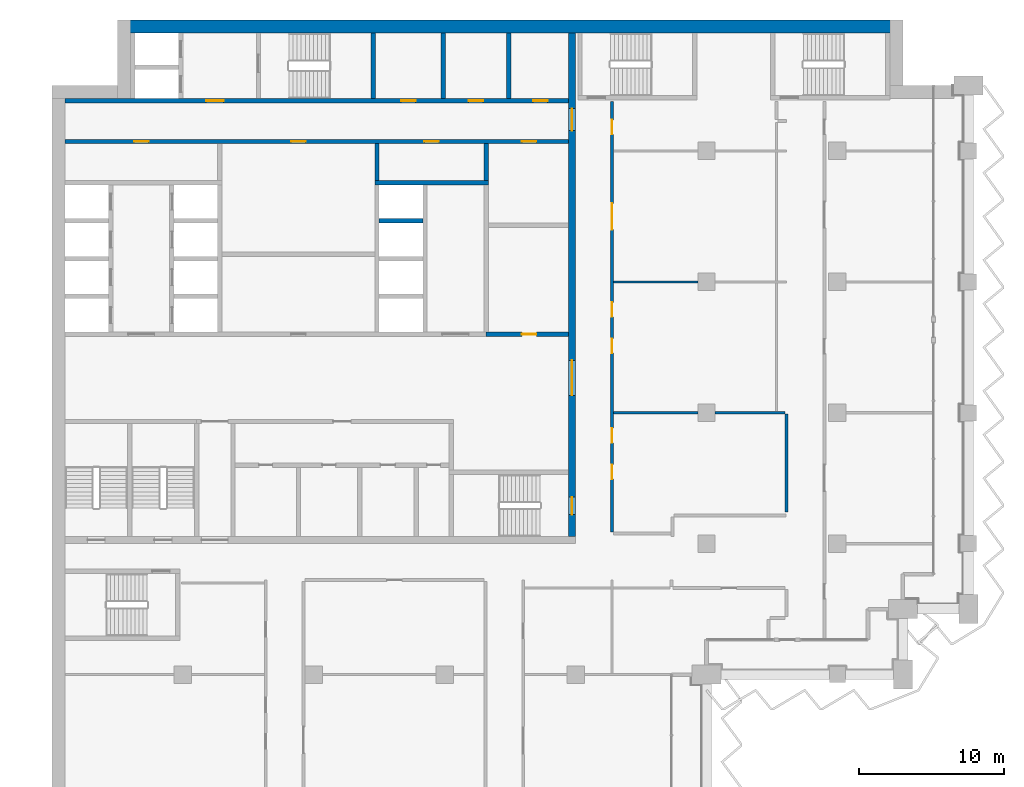
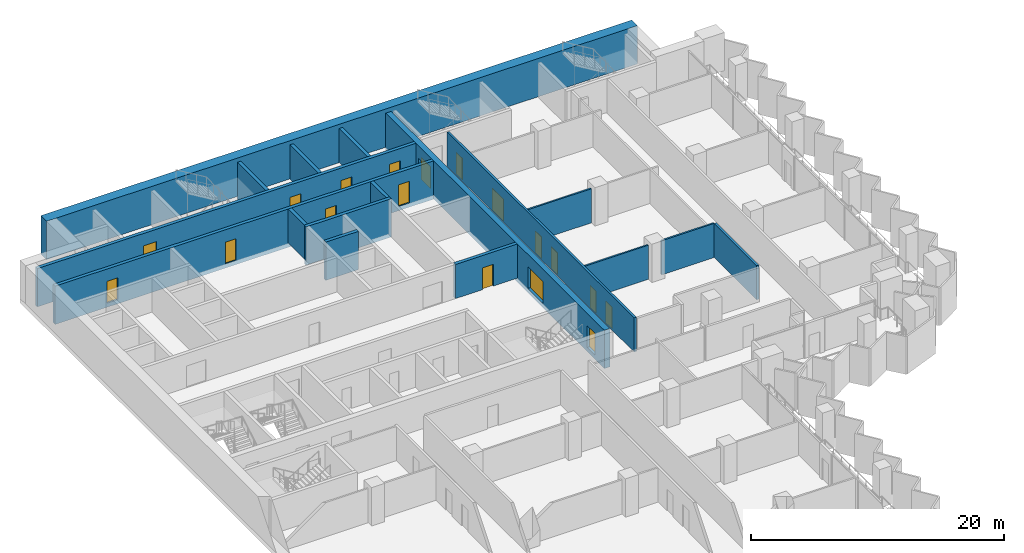
# One storey, part 13 of 22: 18 doors, 17 walls, 18 openings.
"""IFC4 building model written with IfcOpenShell, lengths in metres."""

from ifc_helpers import new_model, si_unit, direction, frame, frame_2d, origin, place, context, subcontext, project, spatial, rectangle, extrude, material, layer, layer_set, type_object, element, fill, save


model = new_model("IFC4")

# Units and contexts
model_context = context("Model", 3, precision=1e-05, world=origin(), true_north=direction((0.0, 1.0)))
body_context = subcontext(model_context, "Body", "Model", "MODEL_VIEW")
ifc_project = project(units=[si_unit("LENGTHUNIT", "METRE"), si_unit("AREAUNIT", "SQUARE_METRE"), si_unit("VOLUMEUNIT", "CUBIC_METRE"), si_unit("PLANEANGLEUNIT", "RADIAN"), si_unit("MASSUNIT", "GRAM", prefix="KILO")], contexts=[model_context])

# Site, building, storey
site_placement = place(None, origin())
site = spatial("IfcSite", under=ifc_project, at=site_placement, CompositionType="ELEMENT")
building_placement = place(site_placement, origin())
building = spatial("IfcBuilding", under=site, at=building_placement, Name="Hunhe Ridgeline Campus", CompositionType="ELEMENT")
storey_placement = place(building_placement, frame((0.0, 0.0, 156.0)))
storey = spatial("IfcBuildingStorey", under=building, at=storey_placement, Name="L39", CompositionType="ELEMENT", Elevation=156.0)

# Wall, opening, door
ifc_material_1 = material(Name="Masonry concrete blockwork", Category="masonry")
ifc_layer_1 = layer(ifc_material_1, 0.300048828125)
ifc_layer_set_1 = layer_set([ifc_layer_1], Name="Core room partition 300 concrete block")
wall_type_1 = type_object("IfcWallType", Name="Core room partition 300 concrete block", PredefinedType="PARTITIONING", material=ifc_layer_set_1)
wall_1_placement = place(storey_placement, frame((29.85009765625, 77.39990234375, 0.0), z_axis=(0.0, 0.0, 1.0), x_axis=(1.0, 0.0, 0.0)))
wall_1 = element("IfcWall", 1, at=wall_1_placement, inside=storey, type_object=wall_type_1, Name="L39 core partition 13", PredefinedType="PARTITIONING", context=body_context, shape_type="SweptSolid", body=[
    extrude(rectangle(XDim=5.64990234375, YDim=0.300048828125, at=frame_2d((2.824951171875, 0.0))), origin(), (0.0, 0.0, 1.0), 3.300048828125),
])
opening_1_placement = place(wall_1_placement, frame((2.449951171875, 0.0, 0.0)))
opening_1 = element("IfcOpeningElement", 2, at=opening_1_placement, cuts=wall_1, Name="Opening CD32", PredefinedType="OPENING", context=body_context, shape_type="SweptSolid", body=[
    extrude(rectangle(XDim=1.0, YDim=2.10009765625, at=frame_2d((0.5, 1.050048828125))), frame((0.0, 0.14990234375, 0.0), z_axis=(0.0, -1.0, 0.0), x_axis=(1.0, 0.0, 0.0)), (0.0, 0.0, 1.0), 0.300048828125),
])
ifc_material_2 = material(Name="Solid core timber door leaf", Category="wood")
door_type_1 = type_object("IfcDoorType", Name="Timber door 1000x2100", OperationType="SINGLE_SWING_LEFT", PredefinedType="DOOR", material=ifc_material_2)
door_1_placement = place(opening_1_placement, origin())
door_1 = element("IfcDoor", 3, at=door_1_placement, inside=storey, type_object=door_type_1, Name="L39 door ES0", OperationType="SINGLE_SWING_LEFT", OverallHeight=2.10009765625, OverallWidth=1.0, PredefinedType="DOOR", context=body_context, shape_type="SweptSolid", body=[
    extrude(rectangle(XDim=1.0, YDim=2.10009765625, at=frame_2d((0.5, 1.050048828125))), frame((0.0, 0.02490234375, 0.0), z_axis=(0.0, -1.0, 0.0), x_axis=(1.0, 0.0, 0.0)), (0.0, 0.0, 1.0), 0.050048828125),
])
fill(opening_1, door_1)

# Walls
wall_2_placement = place(storey_placement, frame((22.35009765625, 87.949951171875, 0.0), z_axis=(0.0, 0.0, 1.0), x_axis=(0.0, 1.0, 0.0)))
element("IfcWall", 4, at=wall_2_placement, inside=storey, type_object=wall_type_1, Name="L39 core partition 49", PredefinedType="PARTITIONING", context=body_context, shape_type="SweptSolid", body=[
    extrude(rectangle(XDim=2.550048828125, YDim=0.300048828125, at=frame_2d((1.27490234375, 0.0))), origin(), (0.0, 0.0, 1.0), 3.300048828125),
])
wall_3_placement = place(storey_placement, frame((26.89990234375, 93.60009765625, 0.0), z_axis=(0.0, 0.0, 1.0), x_axis=(0.0, 1.0, 0.0)))
element("IfcWall", 5, at=wall_3_placement, inside=storey, type_object=wall_type_1, Name="L39 core partition 53", PredefinedType="PARTITIONING", context=body_context, shape_type="SweptSolid", body=[
    extrude(rectangle(XDim=4.5, YDim=0.300048828125, at=frame_2d((2.25, 0.0))), origin(), (0.0, 0.0, 1.0), 3.300048828125),
])
wall_4_placement = place(storey_placement, frame((29.85009765625, 87.949951171875, 0.0), z_axis=(0.0, 0.0, 1.0), x_axis=(0.0, 1.0, 0.0)))
element("IfcWall", 6, at=wall_4_placement, inside=storey, type_object=wall_type_1, Name="L39 core partition 57", PredefinedType="PARTITIONING", context=body_context, shape_type="SweptSolid", body=[
    extrude(rectangle(XDim=2.550048828125, YDim=0.300048828125, at=frame_2d((1.27490234375, 0.0))), origin(), (0.0, 0.0, 1.0), 3.300048828125),
])
wall_5_placement = place(storey_placement, frame((31.39990234375, 93.60009765625, 0.0), z_axis=(0.0, 0.0, 1.0), x_axis=(0.0, 1.0, 0.0)))
element("IfcWall", 7, at=wall_5_placement, inside=storey, type_object=wall_type_1, Name="L39 core partition 58", PredefinedType="PARTITIONING", context=body_context, shape_type="SweptSolid", body=[
    extrude(rectangle(XDim=4.5, YDim=0.300048828125, at=frame_2d((2.25, 0.0))), origin(), (0.0, 0.0, 1.0), 3.300048828125),
])

# Wall, openings, doors
ifc_material_3 = material(Name="Concrete C70", Category="concrete")
ifc_layer_2 = layer(ifc_material_3, 0.5)
ifc_layer_set_2 = layer_set([ifc_layer_2], Name="Core wall 500 reinforced concrete C70")
wall_type_2 = type_object("IfcWallType", Name="Core wall 500 reinforced concrete C70", PredefinedType="SOLIDWALL", material=ifc_layer_set_2)
wall_6_placement = place(storey_placement, frame((35.75, 63.5, -0.39990234375), z_axis=(0.0, 0.0, 1.0), x_axis=(0.0, 1.0, 0.0)))
wall_6 = element("IfcWall", 8, at=wall_6_placement, inside=storey, type_object=wall_type_2, Name="L39 core wall 59", PredefinedType="SOLIDWALL", context=body_context, shape_type="SweptSolid", body=[
    extrude(rectangle(XDim=34.60009765625, YDim=0.5, at=frame_2d((17.300048828125, 0.0))), origin(), (0.0, 0.0, 1.0), 3.699951171875),
])
opening_2_placement = place(wall_6_placement, frame((9.699951171875, 0.0, 0.39990234375)))
opening_2 = element("IfcOpeningElement", 9, at=opening_2_placement, cuts=wall_6, Name="Opening CD4", PredefinedType="OPENING", context=body_context, shape_type="SweptSolid", body=[
    extrude(rectangle(XDim=2.39990234375, YDim=2.10009765625, at=frame_2d((1.199951171875, 1.050048828125))), frame((0.0, 0.25, 0.0), z_axis=(0.0, -1.0, 0.0), x_axis=(1.0, 0.0, 0.0)), (0.0, 0.0, 1.0), 0.5),
])
opening_3_placement = place(wall_6_placement, frame((27.89990234375, 0.0, 0.39990234375)))
opening_3 = element("IfcOpeningElement", 10, at=opening_3_placement, cuts=wall_6, Name="Opening CD5", PredefinedType="OPENING", context=body_context, shape_type="SweptSolid", body=[
    extrude(rectangle(XDim=1.5, YDim=2.10009765625, at=frame_2d((0.75, 1.050048828125))), frame((0.0, 0.25, 0.0), z_axis=(0.0, -1.0, 0.0), x_axis=(1.0, 0.0, 0.0)), (0.0, 0.0, 1.0), 0.5),
])
opening_4_placement = place(wall_6_placement, frame((1.5, 0.0, 0.39990234375)))
opening_4 = element("IfcOpeningElement", 11, at=opening_4_placement, cuts=wall_6, Name="Opening CD15", PredefinedType="OPENING", context=body_context, shape_type="SweptSolid", body=[
    extrude(rectangle(XDim=1.199951171875, YDim=2.10009765625, at=frame_2d((0.60009765625, 1.050048828125))), frame((0.0, 0.25, 0.0), z_axis=(0.0, -1.0, 0.0), x_axis=(1.0, 0.0, 0.0)), (0.0, 0.0, 1.0), 0.5),
])
ifc_material_4 = material(Name="Anodised aluminium and glass", Category="aluminium")
door_type_2 = type_object("IfcDoorType", Name="Glazed double door 2400x2100", OperationType="DOUBLE_DOOR_SINGLE_SWING", PredefinedType="DOOR", material=ifc_material_4)
door_2_placement = place(opening_2_placement, frame((2.39990234375, 0.0, 0.0), z_axis=(0.0, 0.0, 1.0), x_axis=(-1.0, 0.0, 0.0)))
door_2 = element("IfcDoor", 12, at=door_2_placement, inside=storey, type_object=door_type_2, Name="L39 door HALL-FLOOR", OperationType="DOUBLE_DOOR_SINGLE_SWING", OverallHeight=2.10009765625, OverallWidth=2.39990234375, PredefinedType="DOOR", context=body_context, shape_type="SweptSolid", body=[
    extrude(rectangle(XDim=2.39990234375, YDim=2.10009765625, at=frame_2d((1.199951171875, 1.050048828125))), frame((0.0, 0.02490234375, 0.0), z_axis=(0.0, -1.0, 0.0), x_axis=(1.0, 0.0, 0.0)), (0.0, 0.0, 1.0), 0.050048828125),
])
fill(opening_2, door_2)
ifc_material_5 = material(Name="Hollow metal fire door leaf")
door_type_3 = type_object("IfcDoorType", Name="Stair door 1200x2100 FD60", OperationType="SINGLE_SWING_LEFT", PredefinedType="DOOR", material=ifc_material_5)
door_3_placement = place(opening_4_placement, frame((1.199951171875, 0.0, 0.0), z_axis=(0.0, 0.0, 1.0), x_axis=(-1.0, 0.0, 0.0)))
door_3 = element("IfcDoor", 13, at=door_3_placement, inside=storey, type_object=door_type_3, Name="L39 door S2-FLOOR", OperationType="SINGLE_SWING_RIGHT", OverallHeight=2.10009765625, OverallWidth=1.199951171875, PredefinedType="DOOR", context=body_context, shape_type="SweptSolid", body=[
    extrude(rectangle(XDim=1.199951171875, YDim=2.10009765625, at=frame_2d((0.60009765625, 1.050048828125))), frame((0.0, 0.02490234375, 0.0), z_axis=(0.0, -1.0, 0.0), x_axis=(1.0, 0.0, 0.0)), (0.0, 0.0, 1.0), 0.050048828125),
])
fill(opening_4, door_3)
door_type_4 = type_object("IfcDoorType", Name="Timber door 1500x2100", OperationType="SINGLE_SWING_LEFT", PredefinedType="DOOR", material=ifc_material_2)
door_4_placement = place(opening_3_placement, frame((1.5, 0.0, 0.0), z_axis=(0.0, 0.0, 1.0), x_axis=(-1.0, 0.0, 0.0)))
door_4 = element("IfcDoor", 14, at=door_4_placement, inside=storey, type_object=door_type_4, Name="L39 door C1-FLOOR", OperationType="SINGLE_SWING_RIGHT", OverallHeight=2.10009765625, OverallWidth=1.5, PredefinedType="DOOR", context=body_context, shape_type="SweptSolid", body=[
    extrude(rectangle(XDim=1.5, YDim=2.10009765625, at=frame_2d((0.75, 1.050048828125))), frame((0.0, 0.02490234375, 0.0), z_axis=(0.0, -1.0, 0.0), x_axis=(1.0, 0.0, 0.0)), (0.0, 0.0, 1.0), 0.050048828125),
])
fill(opening_3, door_4)

ifc_material_6 = material(Name="Gypsum board partition")
ifc_layer_3 = layer(ifc_material_6, 0.199951171875)
ifc_layer_set_3 = layer_set([ifc_layer_3], Name="Corridor partition 200 gypsum board on steel studs")
wall_type_3 = type_object("IfcWallType", Name="Corridor partition 200 gypsum board on steel studs", PredefinedType="PARTITIONING", material=ifc_layer_set_3)
wall_7_placement = place(storey_placement, frame((38.5, 93.39599609375, 0.0), z_axis=(0.0, 0.0, 1.0), x_axis=(0.0, -1.0, 0.0)))
wall_7 = element("IfcWall", 15, at=wall_7_placement, inside=storey, type_object=wall_type_3, Name="F-L39-wall-064", PredefinedType="PARTITIONING", context=body_context, shape_type="SweptSolid", body=[
    extrude(rectangle(XDim=29.595947265625, YDim=0.199951171875, at=frame_2d((14.7978515625, 0.0))), origin(), (0.0, 0.0, 1.0), 3.300048828125),
])
opening_5_placement = place(wall_7_placement, frame((24.95751953125, 0.0, 0.0)))
opening_5 = element("IfcOpeningElement", 16, at=opening_5_placement, cuts=wall_7, Name="Opening RD1-030", PredefinedType="OPENING", context=body_context, shape_type="SweptSolid", body=[
    extrude(rectangle(XDim=1.0, YDim=2.10009765625, at=frame_2d((0.5, 1.050048828125))), frame((0.0, 0.10009765625, 0.0), z_axis=(0.0, -1.0, 0.0), x_axis=(1.0, 0.0, 0.0)), (0.0, 0.0, 1.0), 0.199951171875),
])
opening_6_placement = place(wall_7_placement, frame((22.45751953125, 0.0, 0.0)))
opening_6 = element("IfcOpeningElement", 17, at=opening_6_placement, cuts=wall_7, Name="Opening RD1-031", PredefinedType="OPENING", context=body_context, shape_type="SweptSolid", body=[
    extrude(rectangle(XDim=1.0, YDim=2.10009765625, at=frame_2d((0.5, 1.050048828125))), frame((0.0, 0.10009765625, 0.0), z_axis=(0.0, -1.0, 0.0), x_axis=(1.0, 0.0, 0.0)), (0.0, 0.0, 1.0), 0.199951171875),
])
opening_7_placement = place(wall_7_placement, frame((16.304443359375, 0.0, 0.0)))
opening_7 = element("IfcOpeningElement", 18, at=opening_7_placement, cuts=wall_7, Name="Opening RD1-032", PredefinedType="OPENING", context=body_context, shape_type="SweptSolid", body=[
    extrude(rectangle(XDim=1.0, YDim=2.10009765625, at=frame_2d((0.5, 1.050048828125))), frame((0.0, 0.10009765625, 0.0), z_axis=(0.0, -1.0, 0.0), x_axis=(1.0, 0.0, 0.0)), (0.0, 0.0, 1.0), 0.199951171875),
])
opening_8_placement = place(wall_7_placement, frame((13.804443359375, 0.0, 0.0)))
opening_8 = element("IfcOpeningElement", 19, at=opening_8_placement, cuts=wall_7, Name="Opening RD1-034", PredefinedType="OPENING", context=body_context, shape_type="SweptSolid", body=[
    extrude(rectangle(XDim=1.0, YDim=2.10009765625, at=frame_2d((0.5, 1.050048828125))), frame((0.0, 0.10009765625, 0.0), z_axis=(0.0, -1.0, 0.0), x_axis=(1.0, 0.0, 0.0)), (0.0, 0.0, 1.0), 0.199951171875),
])
opening_9_placement = place(wall_7_placement, frame((7.00048828125, 0.0, 0.0)))
opening_9 = element("IfcOpeningElement", 20, at=opening_9_placement, cuts=wall_7, Name="Opening RD2-035", PredefinedType="OPENING", context=body_context, shape_type="SweptSolid", body=[
    extrude(rectangle(XDim=1.800048828125, YDim=2.10009765625, at=frame_2d((0.89990234375, 1.050048828125))), frame((0.0, 0.10009765625, 0.0), z_axis=(0.0, -1.0, 0.0), x_axis=(1.0, 0.0, 0.0)), (0.0, 0.0, 1.0), 0.199951171875),
])
opening_10_placement = place(wall_7_placement, frame((1.255615234375, 0.0, 0.0)))
opening_10 = element("IfcOpeningElement", 21, at=opening_10_placement, cuts=wall_7, Name="Opening RD1-037", PredefinedType="OPENING", context=body_context, shape_type="SweptSolid", body=[
    extrude(rectangle(XDim=1.0, YDim=2.10009765625, at=frame_2d((0.5, 1.050048828125))), frame((0.0, 0.10009765625, 0.0), z_axis=(0.0, -1.0, 0.0), x_axis=(1.0, 0.0, 0.0)), (0.0, 0.0, 1.0), 0.199951171875),
])
ifc_material_7 = material(Name="Timber door leaf", Category="wood")
door_type_5 = type_object("IfcDoorType", Name="Double fire door 1800x2100 timber FD60", OperationType="DOUBLE_DOOR_SINGLE_SWING", PredefinedType="DOOR", material=ifc_material_7)
door_5_placement = place(opening_9_placement, origin())
door_5 = element("IfcDoor", 22, at=door_5_placement, inside=storey, type_object=door_type_5, Name="F-L39-door-035", OperationType="DOUBLE_DOOR_SINGLE_SWING", OverallHeight=2.10009765625, OverallWidth=1.800048828125, PredefinedType="DOOR", context=body_context, shape_type="SweptSolid", body=[
    extrude(rectangle(XDim=1.800048828125, YDim=2.10009765625, at=frame_2d((0.89990234375, 1.050048828125))), frame((0.0, 0.02490234375, 0.0), z_axis=(0.0, -1.0, 0.0), x_axis=(1.0, 0.0, 0.0)), (0.0, 0.0, 1.0), 0.050048828125),
])
fill(opening_9, door_5)
door_type_6 = type_object("IfcDoorType", Name="Single fire door 1000x2100 timber FD60", OperationType="NOTDEFINED", PredefinedType="DOOR", material=ifc_material_7)
door_6_placement = place(opening_5_placement, frame((1.0, 0.0, 0.0), z_axis=(0.0, 0.0, 1.0), x_axis=(-1.0, 0.0, 0.0)))
door_6 = element("IfcDoor", 23, at=door_6_placement, inside=storey, type_object=door_type_6, Name="F-L39-door-030", OperationType="SINGLE_SWING_LEFT", OverallHeight=2.10009765625, OverallWidth=1.0, PredefinedType="DOOR", context=body_context, shape_type="SweptSolid", body=[
    extrude(rectangle(XDim=1.0, YDim=2.10009765625, at=frame_2d((0.5, 1.050048828125))), frame((0.0, 0.02490234375, 0.0), z_axis=(0.0, -1.0, 0.0), x_axis=(1.0, 0.0, 0.0)), (0.0, 0.0, 1.0), 0.050048828125),
])
fill(opening_5, door_6)
door_7_placement = place(opening_6_placement, frame((1.0, 0.0, 0.0), z_axis=(0.0, 0.0, 1.0), x_axis=(-1.0, 0.0, 0.0)))
door_7 = element("IfcDoor", 24, at=door_7_placement, inside=storey, type_object=door_type_6, Name="F-L39-door-031", OperationType="SINGLE_SWING_RIGHT", OverallHeight=2.10009765625, OverallWidth=1.0, PredefinedType="DOOR", context=body_context, shape_type="SweptSolid", body=[
    extrude(rectangle(XDim=1.0, YDim=2.10009765625, at=frame_2d((0.5, 1.050048828125))), frame((0.0, 0.02490234375, 0.0), z_axis=(0.0, -1.0, 0.0), x_axis=(1.0, 0.0, 0.0)), (0.0, 0.0, 1.0), 0.050048828125),
])
fill(opening_6, door_7)
door_8_placement = place(opening_7_placement, frame((1.0, 0.0, 0.0), z_axis=(0.0, 0.0, 1.0), x_axis=(-1.0, 0.0, 0.0)))
door_8 = element("IfcDoor", 25, at=door_8_placement, inside=storey, type_object=door_type_6, Name="F-L39-door-032", OperationType="SINGLE_SWING_RIGHT", OverallHeight=2.10009765625, OverallWidth=1.0, PredefinedType="DOOR", context=body_context, shape_type="SweptSolid", body=[
    extrude(rectangle(XDim=1.0, YDim=2.10009765625, at=frame_2d((0.5, 1.050048828125))), frame((0.0, 0.02490234375, 0.0), z_axis=(0.0, -1.0, 0.0), x_axis=(1.0, 0.0, 0.0)), (0.0, 0.0, 1.0), 0.050048828125),
])
fill(opening_7, door_8)
door_9_placement = place(opening_8_placement, frame((1.0, 0.0, 0.0), z_axis=(0.0, 0.0, 1.0), x_axis=(-1.0, 0.0, 0.0)))
door_9 = element("IfcDoor", 26, at=door_9_placement, inside=storey, type_object=door_type_6, Name="F-L39-door-034", OperationType="SINGLE_SWING_RIGHT", OverallHeight=2.10009765625, OverallWidth=1.0, PredefinedType="DOOR", context=body_context, shape_type="SweptSolid", body=[
    extrude(rectangle(XDim=1.0, YDim=2.10009765625, at=frame_2d((0.5, 1.050048828125))), frame((0.0, 0.02490234375, 0.0), z_axis=(0.0, -1.0, 0.0), x_axis=(1.0, 0.0, 0.0)), (0.0, 0.0, 1.0), 0.050048828125),
])
fill(opening_8, door_9)
door_10_placement = place(opening_10_placement, origin())
door_10 = element("IfcDoor", 27, at=door_10_placement, inside=storey, type_object=door_type_6, Name="F-L39-door-037", OperationType="SINGLE_SWING_LEFT", OverallHeight=2.10009765625, OverallWidth=1.0, PredefinedType="DOOR", context=body_context, shape_type="SweptSolid", body=[
    extrude(rectangle(XDim=1.0, YDim=2.10009765625, at=frame_2d((0.5, 1.050048828125))), frame((0.0, 0.02490234375, 0.0), z_axis=(0.0, -1.0, 0.0), x_axis=(1.0, 0.0, 0.0)), (0.0, 0.0, 1.0), 0.050048828125),
])
fill(opening_10, door_10)

# Wall
wall_8_placement = place(storey_placement, frame((50.5, 65.193603515625, 0.0), z_axis=(0.0, 0.0, 1.0), x_axis=(0.0, 1.0, 0.0)))
element("IfcWall", 28, at=wall_8_placement, inside=storey, type_object=wall_type_3, Name="F-L39-wall-073", PredefinedType="PARTITIONING", context=body_context, shape_type="SweptSolid", body=[
    extrude(rectangle(XDim=6.7314453125, YDim=0.199951171875, at=frame_2d((3.36572265625, 0.0))), origin(), (0.0, 0.0, 1.0), 3.300048828125),
])

# Wall, openings, doors
ifc_layer_4 = layer(ifc_material_3, 0.300048828125)
ifc_layer_set_4 = layer_set([ifc_layer_4], Name="Lobby wall 300 reinforced concrete C70")
wall_type_4 = type_object("IfcWallType", Name="Lobby wall 300 reinforced concrete C70", PredefinedType="SOLIDWALL", material=ifc_layer_set_4)
wall_9_placement = place(storey_placement, frame((0.89990234375, 90.64990234375, -0.39990234375), z_axis=(0.0, 0.0, 1.0), x_axis=(1.0, 0.0, 0.0)))
wall_9 = element("IfcWall", 29, at=wall_9_placement, inside=storey, type_object=wall_type_4, Name="L39 core wall 27", PredefinedType="SOLIDWALL", context=body_context, shape_type="SweptSolid", body=[
    extrude(rectangle(XDim=34.60009765625, YDim=0.300048828125, at=frame_2d((17.300048828125, 0.0))), origin(), (0.0, 0.0, 1.0), 3.699951171875),
])
opening_11_placement = place(wall_9_placement, frame((4.75, 0.0, 0.39990234375)))
opening_11 = element("IfcOpeningElement", 30, at=opening_11_placement, cuts=wall_9, Name="Opening CD26", PredefinedType="OPENING", context=body_context, shape_type="SweptSolid", body=[
    extrude(rectangle(XDim=1.0, YDim=2.10009765625, at=frame_2d((0.5, 1.050048828125))), frame((0.0, 0.14990234375, 0.0), z_axis=(0.0, -1.0, 0.0), x_axis=(1.0, 0.0, 0.0)), (0.0, 0.0, 1.0), 0.300048828125),
])
opening_12_placement = place(wall_9_placement, frame((24.699951171875, 0.0, 0.39990234375)))
opening_12 = element("IfcOpeningElement", 31, at=opening_12_placement, cuts=wall_9, Name="Opening CD27", PredefinedType="OPENING", context=body_context, shape_type="SweptSolid", body=[
    extrude(rectangle(XDim=1.0, YDim=2.10009765625, at=frame_2d((0.5, 1.050048828125))), frame((0.0, 0.14990234375, 0.0), z_axis=(0.0, -1.0, 0.0), x_axis=(1.0, 0.0, 0.0)), (0.0, 0.0, 1.0), 0.300048828125),
])
opening_13_placement = place(wall_9_placement, frame((15.550048828125, 0.0, 0.39990234375)))
opening_13 = element("IfcOpeningElement", 32, at=opening_13_placement, cuts=wall_9, Name="Opening CD29", PredefinedType="OPENING", context=body_context, shape_type="SweptSolid", body=[
    extrude(rectangle(XDim=1.0, YDim=2.10009765625, at=frame_2d((0.5, 1.050048828125))), frame((0.0, 0.14990234375, 0.0), z_axis=(0.0, -1.0, 0.0), x_axis=(1.0, 0.0, 0.0)), (0.0, 0.0, 1.0), 0.300048828125),
])
opening_14_placement = place(wall_9_placement, frame((31.39990234375, 0.0, 0.39990234375)))
opening_14 = element("IfcOpeningElement", 33, at=opening_14_placement, cuts=wall_9, Name="Opening CD33", PredefinedType="OPENING", context=body_context, shape_type="SweptSolid", body=[
    extrude(rectangle(XDim=1.0, YDim=2.10009765625, at=frame_2d((0.5, 1.050048828125))), frame((0.0, 0.14990234375, 0.0), z_axis=(0.0, -1.0, 0.0), x_axis=(1.0, 0.0, 0.0)), (0.0, 0.0, 1.0), 0.300048828125),
])
door_11_placement = place(opening_11_placement, frame((1.0, 0.0, 0.0), z_axis=(0.0, 0.0, 1.0), x_axis=(-1.0, 0.0, 0.0)))
door_11 = element("IfcDoor", 34, at=door_11_placement, inside=storey, type_object=door_type_1, Name="L39 door NR-0", OperationType="SINGLE_SWING_LEFT", OverallHeight=2.10009765625, OverallWidth=1.0, PredefinedType="DOOR", context=body_context, shape_type="SweptSolid", body=[
    extrude(rectangle(XDim=1.0, YDim=2.10009765625, at=frame_2d((0.5, 1.050048828125))), frame((0.0, 0.02490234375, 0.0), z_axis=(0.0, -1.0, 0.0), x_axis=(1.0, 0.0, 0.0)), (0.0, 0.0, 1.0), 0.050048828125),
])
fill(opening_11, door_11)
door_12_placement = place(opening_12_placement, frame((1.0, 0.0, 0.0), z_axis=(0.0, 0.0, 1.0), x_axis=(-1.0, 0.0, 0.0)))
door_12 = element("IfcDoor", 35, at=door_12_placement, inside=storey, type_object=door_type_1, Name="L39 door NR-1", OperationType="SINGLE_SWING_RIGHT", OverallHeight=2.10009765625, OverallWidth=1.0, PredefinedType="DOOR", context=body_context, shape_type="SweptSolid", body=[
    extrude(rectangle(XDim=1.0, YDim=2.10009765625, at=frame_2d((0.5, 1.050048828125))), frame((0.0, 0.02490234375, 0.0), z_axis=(0.0, -1.0, 0.0), x_axis=(1.0, 0.0, 0.0)), (0.0, 0.0, 1.0), 0.050048828125),
])
fill(opening_12, door_12)
door_13_placement = place(opening_13_placement, frame((1.0, 0.0, 0.0), z_axis=(0.0, 0.0, 1.0), x_axis=(-1.0, 0.0, 0.0)))
door_13 = element("IfcDoor", 36, at=door_13_placement, inside=storey, type_object=door_type_1, Name="L39 door VD-HR1", OperationType="SINGLE_SWING_RIGHT", OverallHeight=2.10009765625, OverallWidth=1.0, PredefinedType="DOOR", context=body_context, shape_type="SweptSolid", body=[
    extrude(rectangle(XDim=1.0, YDim=2.10009765625, at=frame_2d((0.5, 1.050048828125))), frame((0.0, 0.02490234375, 0.0), z_axis=(0.0, -1.0, 0.0), x_axis=(1.0, 0.0, 0.0)), (0.0, 0.0, 1.0), 0.050048828125),
])
fill(opening_13, door_13)
door_14_placement = place(opening_14_placement, frame((1.0, 0.0, 0.0), z_axis=(0.0, 0.0, 1.0), x_axis=(-1.0, 0.0, 0.0)))
door_14 = element("IfcDoor", 37, at=door_14_placement, inside=storey, type_object=door_type_1, Name="L39 door ES1", OperationType="SINGLE_SWING_LEFT", OverallHeight=2.10009765625, OverallWidth=1.0, PredefinedType="DOOR", context=body_context, shape_type="SweptSolid", body=[
    extrude(rectangle(XDim=1.0, YDim=2.10009765625, at=frame_2d((0.5, 1.050048828125))), frame((0.0, 0.02490234375, 0.0), z_axis=(0.0, -1.0, 0.0), x_axis=(1.0, 0.0, 0.0)), (0.0, 0.0, 1.0), 0.050048828125),
])
fill(opening_14, door_14)

# Walls
ifc_layer_5 = layer(ifc_material_6, 0.14990234375)
ifc_layer_set_5 = layer_set([ifc_layer_5], Name="Room partition 150 gypsum board on steel studs")
wall_type_5 = type_object("IfcWallType", Name="Room partition 150 gypsum board on steel studs", PredefinedType="PARTITIONING", material=ifc_layer_set_5)
wall_10_placement = place(storey_placement, frame((38.60009765625, 72.0, 0.0), z_axis=(0.0, 0.0, 1.0), x_axis=(1.0, 0.0, 0.0)))
element("IfcWall", 38, at=wall_10_placement, inside=storey, type_object=wall_type_5, Name="F-L39-wall-045", PredefinedType="PARTITIONING", context=body_context, shape_type="SweptSolid", body=[
    extrude(rectangle(XDim=5.7998046875, YDim=0.14990234375, at=frame_2d((2.89990234375, 0.0))), origin(), (0.0, 0.0, 1.0), 3.300048828125),
])
wall_11_placement = place(storey_placement, frame((45.60009765625, 72.0, 0.0), z_axis=(0.0, 0.0, 1.0), x_axis=(1.0, 0.0, 0.0)))
element("IfcWall", 39, at=wall_11_placement, inside=storey, type_object=wall_type_5, Name="F-L39-wall-046", PredefinedType="PARTITIONING", context=body_context, shape_type="SweptSolid", body=[
    extrude(rectangle(XDim=4.7998046875, YDim=0.14990234375, at=frame_2d((2.39990234375, 0.0))), origin(), (0.0, 0.0, 1.0), 3.300048828125),
])
wall_12_placement = place(storey_placement, frame((38.60009765625, 81.0, 0.0), z_axis=(0.0, 0.0, 1.0), x_axis=(1.0, 0.0, 0.0)))
element("IfcWall", 40, at=wall_12_placement, inside=storey, type_object=wall_type_5, Name="F-L39-wall-048", PredefinedType="PARTITIONING", context=body_context, shape_type="SweptSolid", body=[
    extrude(rectangle(XDim=5.7998046875, YDim=0.14990234375, at=frame_2d((2.89990234375, 0.0))), origin(), (0.0, 0.0, 1.0), 3.300048828125),
])
ifc_layer_6 = layer(ifc_material_3, 0.300048828125)
ifc_layer_set_6 = layer_set([ifc_layer_6], Name="Shaft wall 300 reinforced concrete C70")
wall_type_6 = type_object("IfcWallType", Name="Shaft wall 300 reinforced concrete C70", PredefinedType="SOLIDWALL", material=ifc_layer_set_6)
wall_13_placement = place(storey_placement, frame((22.5, 85.199951171875, -0.39990234375), z_axis=(0.0, 0.0, 1.0), x_axis=(1.0, 0.0, 0.0)))
element("IfcWall", 41, at=wall_13_placement, inside=storey, type_object=wall_type_6, Name="L39 core wall 24", PredefinedType="SOLIDWALL", context=body_context, shape_type="SweptSolid", body=[
    extrude(rectangle(XDim=3.0, YDim=0.300048828125, at=frame_2d((1.5, 0.0))), origin(), (0.0, 0.0, 1.0), 3.699951171875),
])
wall_14_placement = place(storey_placement, frame((22.199951171875, 87.800048828125, -0.39990234375), z_axis=(0.0, 0.0, 1.0), x_axis=(1.0, 0.0, 0.0)))
element("IfcWall", 42, at=wall_14_placement, inside=storey, type_object=wall_type_6, Name="L39 core wall 26", PredefinedType="SOLIDWALL", context=body_context, shape_type="SweptSolid", body=[
    extrude(rectangle(XDim=7.800048828125, YDim=0.300048828125, at=frame_2d((3.89990234375, 0.0))), origin(), (0.0, 0.0, 1.0), 3.699951171875),
])

# Wall, openings, doors
wall_15_placement = place(storey_placement, frame((0.89990234375, 93.449951171875, -0.39990234375), z_axis=(0.0, 0.0, 1.0), x_axis=(1.0, 0.0, 0.0)))
wall_15 = element("IfcWall", 43, at=wall_15_placement, inside=storey, type_object=wall_type_6, Name="L39 core wall 28", PredefinedType="SOLIDWALL", context=body_context, shape_type="SweptSolid", body=[
    extrude(rectangle(XDim=34.60009765625, YDim=0.300048828125, at=frame_2d((17.300048828125, 0.0))), origin(), (0.0, 0.0, 1.0), 3.699951171875),
])
opening_15_placement = place(wall_15_placement, frame((9.699951171875, 0.0, 0.39990234375)))
opening_15 = element("IfcOpeningElement", 44, at=opening_15_placement, cuts=wall_15, Name="Opening CD3", PredefinedType="OPENING", context=body_context, shape_type="SweptSolid", body=[
    extrude(rectangle(XDim=1.199951171875, YDim=2.10009765625, at=frame_2d((0.60009765625, 1.050048828125))), frame((0.0, 0.14990234375, 0.0), z_axis=(0.0, -1.0, 0.0), x_axis=(1.0, 0.0, 0.0)), (0.0, 0.0, 1.0), 0.300048828125),
])
opening_16_placement = place(wall_15_placement, frame((23.10009765625, 0.0, 0.39990234375)))
opening_16 = element("IfcOpeningElement", 45, at=opening_16_placement, cuts=wall_15, Name="Opening CD34", PredefinedType="OPENING", context=body_context, shape_type="SweptSolid", body=[
    extrude(rectangle(XDim=1.0, YDim=2.10009765625, at=frame_2d((0.5, 1.050048828125))), frame((0.0, 0.14990234375, 0.0), z_axis=(0.0, -1.0, 0.0), x_axis=(1.0, 0.0, 0.0)), (0.0, 0.0, 1.0), 0.300048828125),
])
opening_17_placement = place(wall_15_placement, frame((27.75, 0.0, 0.39990234375)))
opening_17 = element("IfcOpeningElement", 46, at=opening_17_placement, cuts=wall_15, Name="Opening CD35", PredefinedType="OPENING", context=body_context, shape_type="SweptSolid", body=[
    extrude(rectangle(XDim=1.0, YDim=2.10009765625, at=frame_2d((0.5, 1.050048828125))), frame((0.0, 0.14990234375, 0.0), z_axis=(0.0, -1.0, 0.0), x_axis=(1.0, 0.0, 0.0)), (0.0, 0.0, 1.0), 0.300048828125),
])
opening_18_placement = place(wall_15_placement, frame((32.175048828125, 0.0, 0.39990234375)))
opening_18 = element("IfcOpeningElement", 47, at=opening_18_placement, cuts=wall_15, Name="Opening CD36", PredefinedType="OPENING", context=body_context, shape_type="SweptSolid", body=[
    extrude(rectangle(XDim=1.0, YDim=2.10009765625, at=frame_2d((0.5, 1.050048828125))), frame((0.0, 0.14990234375, 0.0), z_axis=(0.0, -1.0, 0.0), x_axis=(1.0, 0.0, 0.0)), (0.0, 0.0, 1.0), 0.300048828125),
])
door_type_7 = type_object("IfcDoorType", Name="Lobby door 1200x2100 FD60", OperationType="SINGLE_SWING_LEFT", PredefinedType="DOOR", material=ifc_material_5)
door_15_placement = place(opening_15_placement, frame((1.199951171875, 0.0, 0.0), z_axis=(0.0, 0.0, 1.0), x_axis=(-1.0, 0.0, 0.0)))
door_15 = element("IfcDoor", 48, at=door_15_placement, inside=storey, type_object=door_type_7, Name="L39 door FF-C1", OperationType="SINGLE_SWING_LEFT", OverallHeight=2.10009765625, OverallWidth=1.199951171875, PredefinedType="DOOR", context=body_context, shape_type="SweptSolid", body=[
    extrude(rectangle(XDim=1.199951171875, YDim=2.10009765625, at=frame_2d((0.60009765625, 1.050048828125))), frame((0.0, 0.02490234375, 0.0), z_axis=(0.0, -1.0, 0.0), x_axis=(1.0, 0.0, 0.0)), (0.0, 0.0, 1.0), 0.050048828125),
])
fill(opening_15, door_15)
door_16_placement = place(opening_16_placement, origin())
door_16 = element("IfcDoor", 49, at=door_16_placement, inside=storey, type_object=door_type_1, Name="L39 door NB0", OperationType="SINGLE_SWING_LEFT", OverallHeight=2.10009765625, OverallWidth=1.0, PredefinedType="DOOR", context=body_context, shape_type="SweptSolid", body=[
    extrude(rectangle(XDim=1.0, YDim=2.10009765625, at=frame_2d((0.5, 1.050048828125))), frame((0.0, 0.02490234375, 0.0), z_axis=(0.0, -1.0, 0.0), x_axis=(1.0, 0.0, 0.0)), (0.0, 0.0, 1.0), 0.050048828125),
])
fill(opening_16, door_16)
door_17_placement = place(opening_17_placement, origin())
door_17 = element("IfcDoor", 50, at=door_17_placement, inside=storey, type_object=door_type_1, Name="L39 door NB1", OperationType="SINGLE_SWING_RIGHT", OverallHeight=2.10009765625, OverallWidth=1.0, PredefinedType="DOOR", context=body_context, shape_type="SweptSolid", body=[
    extrude(rectangle(XDim=1.0, YDim=2.10009765625, at=frame_2d((0.5, 1.050048828125))), frame((0.0, 0.02490234375, 0.0), z_axis=(0.0, -1.0, 0.0), x_axis=(1.0, 0.0, 0.0)), (0.0, 0.0, 1.0), 0.050048828125),
])
fill(opening_17, door_17)
door_18_placement = place(opening_18_placement, origin())
door_18 = element("IfcDoor", 51, at=door_18_placement, inside=storey, type_object=door_type_1, Name="L39 door NB2", OperationType="SINGLE_SWING_LEFT", OverallHeight=2.10009765625, OverallWidth=1.0, PredefinedType="DOOR", context=body_context, shape_type="SweptSolid", body=[
    extrude(rectangle(XDim=1.0, YDim=2.10009765625, at=frame_2d((0.5, 1.050048828125))), frame((0.0, 0.02490234375, 0.0), z_axis=(0.0, -1.0, 0.0), x_axis=(1.0, 0.0, 0.0)), (0.0, 0.0, 1.0), 0.050048828125),
])
fill(opening_18, door_18)

# Walls
ifc_layer_7 = layer(ifc_material_3, 0.89990234375)
ifc_layer_set_7 = layer_set([ifc_layer_7], Name="Spine wall 900 Concrete C70")
wall_type_7 = type_object("IfcWallType", Name="Spine wall 900 Concrete C70", PredefinedType="SHEAR", material=ifc_layer_set_7)
wall_16_placement = place(storey_placement, frame((58.5, 98.550048828125, 0.0), z_axis=(0.0, 0.0, 1.0), x_axis=(-1.0, 0.0, 0.0)))
element("IfcWall", 52, at=wall_16_placement, inside=storey, type_object=wall_type_7, Name="Spine wall SW2-4 L39", PredefinedType="SHEAR", context=body_context, shape_type="SweptSolid", body=[
    extrude(rectangle(XDim=54.0, YDim=0.89990234375, at=frame_2d((27.0, 0.0))), origin(), (0.0, 0.0, 1.0), 3.699951171875),
])
ifc_layer_8 = layer(ifc_material_3, 0.300048828125)
ifc_layer_set_8 = layer_set([ifc_layer_8], Name="Stair wall 300 reinforced concrete C70")
wall_type_8 = type_object("IfcWallType", Name="Stair wall 300 reinforced concrete C70", PredefinedType="SOLIDWALL", material=ifc_layer_set_8)
wall_17_placement = place(storey_placement, frame((22.10009765625, 93.60009765625, -0.39990234375), z_axis=(0.0, 0.0, 1.0), x_axis=(0.0, 1.0, 0.0)))
element("IfcWall", 53, at=wall_17_placement, inside=storey, type_object=wall_type_8, Name="L39 core wall 47", PredefinedType="SOLIDWALL", context=body_context, shape_type="SweptSolid", body=[
    extrude(rectangle(XDim=4.5, YDim=0.300048828125, at=frame_2d((2.25, 0.0))), origin(), (0.0, 0.0, 1.0), 3.699951171875),
])

save(model, "model.ifc")
